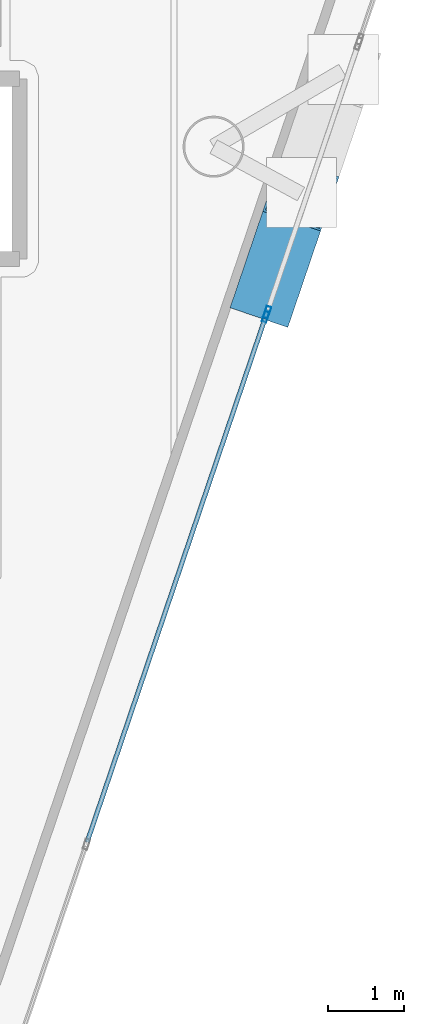
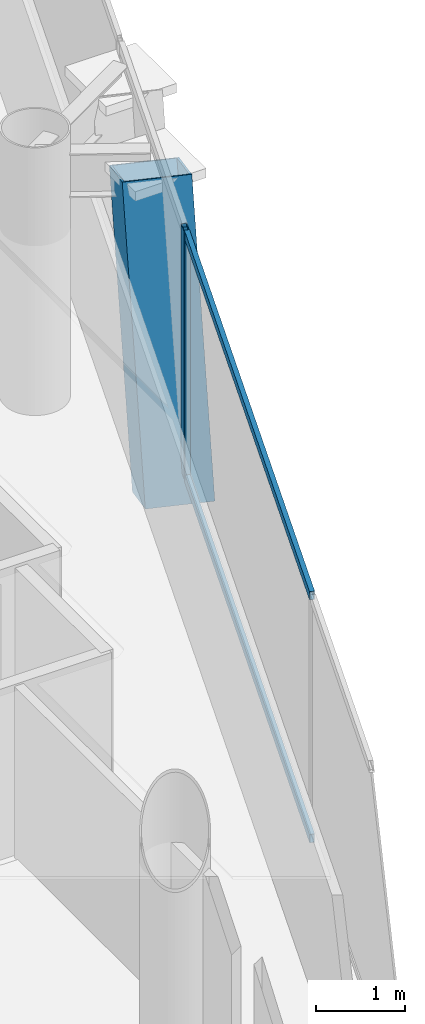
# One storey, part 5 of 18: 5 members, 2 elements without a shape of their own.
"""IFC4 building model written with IfcOpenShell, lengths in metres."""

from ifc_helpers import new_model, si_unit, direction, frame, origin, origin_2d, place, context, subcontext, project, spatial, hollow_rectangle, extrude, material, layer, layer_set, material_profile, profile_set, type_object, element, aggregate, save


model = new_model("IFC4")

# Units and contexts
model_context = context("Model", 3, precision=1e-05, world=origin(), true_north=direction((0.0, 1.0)))
body_context = subcontext(model_context, "Body", "Model", "MODEL_VIEW")
ifc_project = project(units=[si_unit("LENGTHUNIT", "METRE"), si_unit("AREAUNIT", "SQUARE_METRE"), si_unit("VOLUMEUNIT", "CUBIC_METRE"), si_unit("PLANEANGLEUNIT", "RADIAN"), si_unit("MASSUNIT", "GRAM", prefix="KILO")], contexts=[model_context])

# Site, building, storey
site_placement = place(None, origin())
site = spatial("IfcSite", under=ifc_project, at=site_placement, CompositionType="ELEMENT")
building_placement = place(site_placement, origin())
building = spatial("IfcBuilding", under=site, at=building_placement, Name="Qianvela Tower", CompositionType="ELEMENT")
storey_placement = place(building_placement, frame((0.0, 0.0, 348.10009765625)))
storey = spatial("IfcBuildingStorey", under=building, at=storey_placement, Name="L90", CompositionType="ELEMENT", Elevation=348.10009765625)

# Curtain wall, member
ifc_material_1 = material(Name="Anodised Architectural Aluminium and Insulated Spandrel Panel", Category="aluminium")
ifc_layer_1 = layer(ifc_material_1, 0.179931640625)
ifc_layer_set_1 = layer_set([ifc_layer_1], Name="Anodised Architectural Aluminium and Insulated Spandrel Panel")
curtain_wall_type_1 = type_object("IfcCurtainWallType", Name="CW-BRACEBAY", PredefinedType="USERDEFINED", material=ifc_layer_set_1)
curtain_wall_1_placement = place(storey_placement, origin())
curtain_wall_1 = element("IfcCurtainWall", 1, at=curtain_wall_1_placement, inside=storey, type_object=curtain_wall_type_1, Name="L90 CW-BRACEBAY Curtain Wall 06B", ObjectType="CURTAIN_WALL_SYSTEM", PredefinedType="USERDEFINED")
ifc_material_2 = material(Name="Anodised Architectural Aluminium 6063-T6", Category="aluminium")
ifc_material_profile_1 = material_profile(ifc_material_2, hollow_rectangle(XDim=0.06494140625, YDim=0.159912109375, WallThickness=0.0048828125, at=origin_2d()), Name="ALU-MULL-65x160")
ifc_profile_set_1 = profile_set([ifc_material_profile_1], Name="Anodised Architectural Aluminium 6063-T6")
member_type_1 = type_object("IfcMemberType", Name="CW-BRACEBAY-MULL", PredefinedType="MULLION", material=ifc_profile_set_1)
member_1_placement = place(storey_placement, frame((46.797119140625, 21.5205078125, 0.0), z_axis=(0.0, 0.0, 1.0), x_axis=(-0.946836742634, 0.321714442943, 0.0)))
member_1 = element("IfcMember", 2, at=member_1_placement, type_object=member_type_1, Name="CW-9 mullion 1", PredefinedType="MULLION", context=body_context, shape_type="SweptSolid", body=[
    extrude(hollow_rectangle(XDim=0.06494140625, YDim=0.159912109375, WallThickness=0.0048828125, at=origin_2d()), origin(), (0.0, 0.0, 1.0), 3.39990234375),
])
aggregate(curtain_wall_1, [member_1])

# Curtain wall, members
ifc_material_3 = material(Name="Anodised Architectural Aluminium and Low-E Glass", Category="aluminium")
ifc_layer_2 = layer(ifc_material_3, 0.14990234375)
ifc_layer_set_2 = layer_set([ifc_layer_2], Name="Anodised Architectural Aluminium and Low-E Glass")
curtain_wall_type_2 = type_object("IfcCurtainWallType", Name="CW-COLIV-Z78", PredefinedType="USERDEFINED", material=ifc_layer_set_2)
curtain_wall_2_placement = place(storey_placement, origin())
curtain_wall_2 = element("IfcCurtainWall", 3, at=curtain_wall_2_placement, inside=storey, type_object=curtain_wall_type_2, Name="L90 CW-COLIV-Z78 Curtain Wall 06A", ObjectType="CURTAIN_WALL_SYSTEM", PredefinedType="USERDEFINED")
ifc_material_4 = material(Name="Anodised Architectural Aluminium 6063-T6", Category="aluminium")
ifc_material_profile_2 = material_profile(ifc_material_4, hollow_rectangle(XDim=0.06005859375, YDim=0.139892578125, WallThickness=0.00439453125, at=origin_2d()), Name="ALU-MULL-60x140")
ifc_profile_set_2 = profile_set([ifc_material_profile_2], Name="Anodised Architectural Aluminium 6063-T6")
member_type_2 = type_object("IfcMemberType", Name="CW-COLIV-Z78-MULL", PredefinedType="MULLION", material=ifc_profile_set_2)
member_2_placement = place(storey_placement, frame((46.77685546875, 21.461181640625, 0.0), z_axis=(0.0, 0.0, 1.0), x_axis=(-0.946835177583, 0.321719049003, 0.0)))
member_2 = element("IfcMember", 4, at=member_2_placement, type_object=member_type_2, Name="CW-6 mullion 3", PredefinedType="MULLION", context=body_context, shape_type="SweptSolid", body=[
    extrude(hollow_rectangle(XDim=0.06005859375, YDim=0.139892578125, WallThickness=0.00439453125, at=origin_2d()), origin(), (0.0, 0.0, 1.0), 3.39990234375),
])
ifc_material_5 = material(Name="Anodised Architectural Aluminium 6063-T6", Category="aluminium")
ifc_material_profile_3 = material_profile(ifc_material_5, hollow_rectangle(XDim=0.06005859375, YDim=0.114990234375, WallThickness=0.00390625, at=origin_2d()), Name="ALU-TRAN-60x115")
ifc_profile_set_3 = profile_set([ifc_material_profile_3], Name="Anodised Architectural Aluminium 6063-T6")
member_type_3 = type_object("IfcMemberType", Name="CW-COLIV-Z78-TRAN", PredefinedType="USERDEFINED", material=ifc_profile_set_3)
member_3_placement = place(storey_placement, frame((44.43798828125, 14.577880859375, 0.02978515625), z_axis=(0.321735874416, 0.946829460417, 0.0), x_axis=(-0.946829460417, 0.321735874416, 0.0)))
member_3 = element("IfcMember", 5, at=member_3_placement, type_object=member_type_3, Name="CW-6 transom 2.1", ObjectType="TRANSOM", PredefinedType="USERDEFINED", context=body_context, shape_type="SweptSolid", body=[
    extrude(hollow_rectangle(XDim=0.06005859375, YDim=0.114990234375, WallThickness=0.00390625, at=origin_2d()), origin(), (0.0, 0.0, 1.0), 7.239990234375),
])
member_4_placement = place(storey_placement, frame((44.43798828125, 14.577880859375, 3.369873046875), z_axis=(0.321735874416, 0.946829460417, 0.0), x_axis=(-0.946829460417, 0.321735874416, 0.0)))
member_4 = element("IfcMember", 6, at=member_4_placement, type_object=member_type_3, Name="CW-6 transom 2.2", ObjectType="TRANSOM", PredefinedType="USERDEFINED", context=body_context, shape_type="SweptSolid", body=[
    extrude(hollow_rectangle(XDim=0.06005859375, YDim=0.114990234375, WallThickness=0.00390625, at=origin_2d()), origin(), (0.0, 0.0, 1.0), 7.239990234375),
])
aggregate(curtain_wall_2, [member_2, member_3, member_4])

# Member
ifc_material_6 = material(Name="Steel Q420GJC", Category="steel")
ifc_material_profile_4 = material_profile(ifc_material_6, hollow_rectangle(XDim=0.800048828125, YDim=0.800048828125, WallThickness=0.028076171875, at=origin_2d()), Name="MBOX-800x800x28")
ifc_profile_set_4 = profile_set([ifc_material_profile_4], Name="Steel Q420GJC")
member_type_4 = type_object("IfcMemberType", Name="MBR-MBRACE-800", PredefinedType="BRACE", material=ifc_profile_set_4)
member_5_placement = place(storey_placement, frame((46.8095703125, 21.80615234375, -0.482177734375), z_axis=(0.112397209469, 0.330737894379, 0.937005502932), x_axis=(-0.946819564639, 0.321764995015, 0.0)))
element("IfcMember", 7, at=member_5_placement, inside=storey, type_object=member_type_4, Name="L90 Tier 15 Exterior Mega-Brace F3A", PredefinedType="BRACE", context=body_context, shape_type="SweptSolid", body=[
    extrude(hollow_rectangle(XDim=0.800048828125, YDim=0.800048828125, WallThickness=0.028076171875, at=origin_2d()), origin(), (0.0, 0.0, 1.0), 3.82080078125),
])

save(model, "model.ifc")
